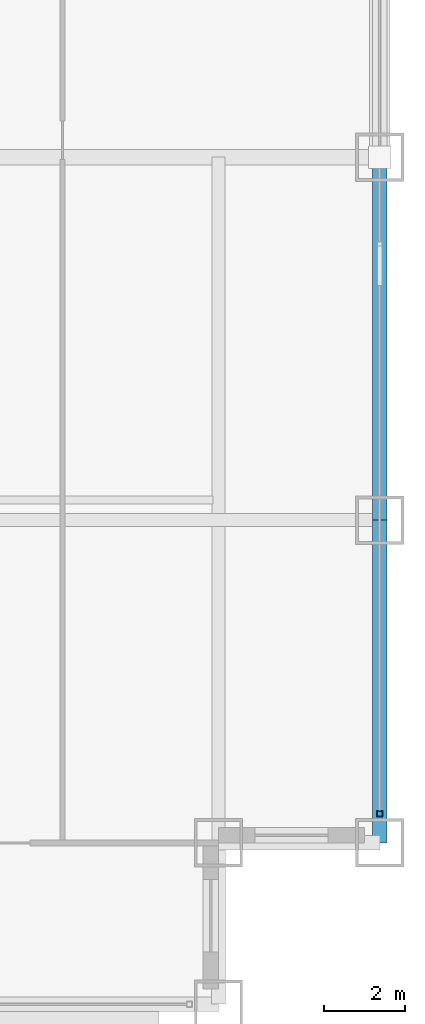
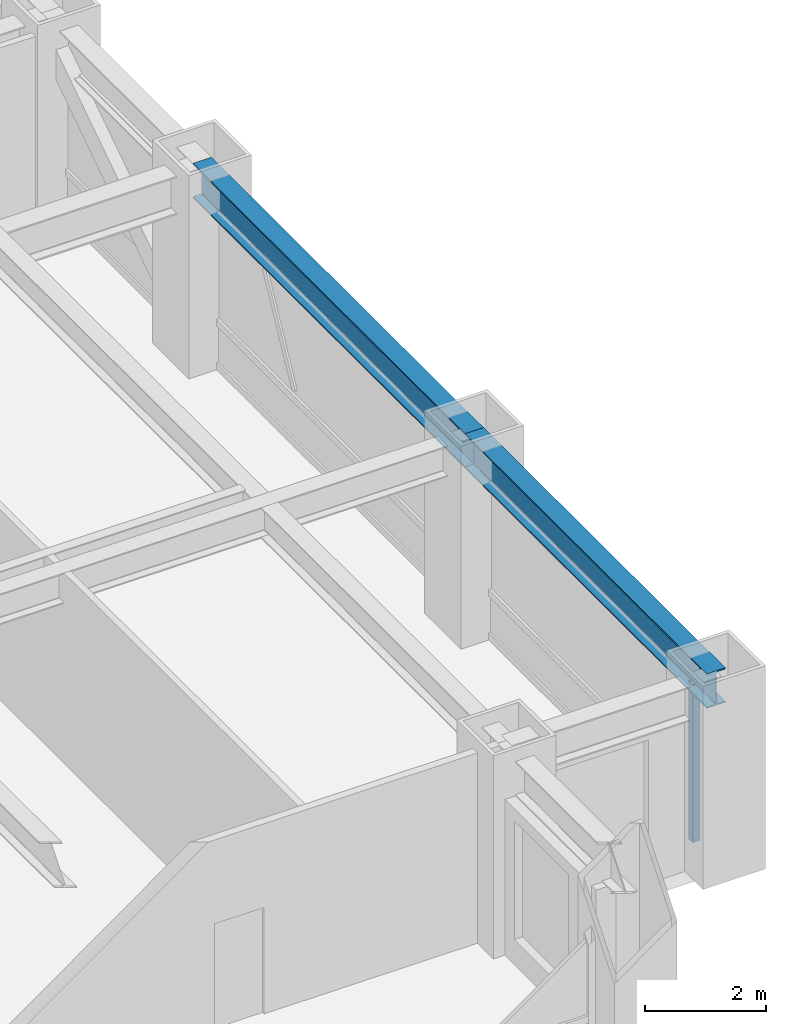
# One storey, part 12 of 32: 2 beams, 1 member, 1 element without a shape of its own.
"""IFC4 building model written with IfcOpenShell, lengths in metres."""

from ifc_helpers import new_model, si_unit, direction, frame, origin, origin_2d, place, context, subcontext, project, spatial, hollow_rectangle, i_section, extrude, source, transform, mapped, material, material_profile, profile_set, type_object, element, aggregate, save


model = new_model("IFC4")

# Units and contexts
model_context = context("Model", 3, precision=1e-05, world=origin(), true_north=direction((0.0, 1.0)))
body_context = subcontext(model_context, "Body", "Model", "MODEL_VIEW")
ifc_project = project(units=[si_unit("LENGTHUNIT", "METRE"), si_unit("AREAUNIT", "SQUARE_METRE"), si_unit("VOLUMEUNIT", "CUBIC_METRE"), si_unit("PLANEANGLEUNIT", "RADIAN"), si_unit("MASSUNIT", "GRAM", prefix="KILO")], contexts=[model_context])

# Site, building, storey
site_placement = place(None, origin())
site = spatial("IfcSite", under=ifc_project, at=site_placement, CompositionType="ELEMENT")
building_placement = place(site_placement, origin())
building = spatial("IfcBuilding", under=site, at=building_placement, Name="Khorayat Bourse Tower", CompositionType="ELEMENT")
storey_placement = place(building_placement, frame((0.0, 0.0, 128.300048828125)))
storey = spatial("IfcBuildingStorey", under=building, at=storey_placement, Name="L29", CompositionType="ELEMENT", Elevation=128.300048828125)

# Beams
ifc_material_1 = material(Name="Steel ASTM A992 Grade 50", Category="steel")
ifc_material_profile_1 = material_profile(ifc_material_1, i_section(OverallWidth=0.35498046875, OverallDepth=0.695068359375, WebThickness=0.015380859375, FlangeThickness=0.02490234375, FilletRadius=0.01806640625, at=origin_2d()), Name="W690X217")
ifc_profile_set_1 = profile_set([ifc_material_profile_1], Name="Steel ASTM A992 Grade 50")
beam_type = type_object("IfcBeamType", Name="BM-SPAN-690", PredefinedType="SPANDREL", material=ifc_profile_set_1)
shared_shape_1 = source(origin(), body_context, "Body", "SweptSolid", [
    extrude(i_section(OverallWidth=0.35498046875, OverallDepth=0.695068359375, WebThickness=0.015380859375, FlangeThickness=0.02490234375, FilletRadius=0.01806640625, at=origin_2d()), origin(), (0.0, 0.0, 1.0), 9.0),
])
beam_1_placement = place(storey_placement, frame((32.0, -20.0, 3.492431640625), z_axis=(0.0, 1.0, 0.0), x_axis=(-1.0, 0.0, 0.0)))
element("IfcBeam", 1, at=beam_1_placement, inside=storey, type_object=beam_type, Name="L29 BM-SPAN-690 BM-L29-SPN-035", PredefinedType="SPANDREL", context=body_context, shape_type="MappedRepresentation", body=[
    mapped(shared_shape_1, transform((0.0, 0.0, 0.0), scale=1.0)),
])
shared_shape_2 = source(origin(), body_context, "Body", "SweptSolid", [
    extrude(i_section(OverallWidth=0.35498046875, OverallDepth=0.695068359375, WebThickness=0.015380859375, FlangeThickness=0.02490234375, FilletRadius=0.01806640625, at=origin_2d()), origin(), (0.0, 0.0, 1.0), 8.0),
])
beam_2_placement = place(storey_placement, frame((32.0, -28.0, 3.492431640625), z_axis=(0.0, 1.0, 0.0), x_axis=(-1.0, 0.0, 0.0)))
element("IfcBeam", 2, at=beam_2_placement, inside=storey, type_object=beam_type, Name="L29 BM-SPAN-690 BM-L29-SPN-034", PredefinedType="SPANDREL", context=body_context, shape_type="MappedRepresentation", body=[
    mapped(shared_shape_2, transform((0.0, 0.0, 0.0), scale=1.0)),
])

# Curtain wall, member
ifc_material_2 = material(Name="Aluminium EN AW-6063 T6", Category="aluminium")
curtain_wall_type = type_object("IfcCurtainWallType", Name="CW-SYS-02", PredefinedType="NOTDEFINED", material=ifc_material_2)
curtain_wall_placement = place(storey_placement, origin())
curtain_wall = element("IfcCurtainWall", 3, at=curtain_wall_placement, inside=storey, type_object=curtain_wall_type, Name="L29 Curtain Wall CW-L29-E1", PredefinedType="NOTDEFINED")
ifc_material_profile_2 = material_profile(ifc_material_2, hollow_rectangle(XDim=0.139892578125, YDim=0.139892578125, WallThickness=0.006103515625, at=origin_2d()), Name="ALU 140x140x6")
ifc_profile_set_2 = profile_set([ifc_material_profile_2], Name="Aluminium EN AW-6063 T6")
member_type = type_object("IfcMemberType", Name="CWM-VERT-140", PredefinedType="MULLION", material=ifc_profile_set_2)
shared_shape_3 = source(origin(), body_context, "Body", "SweptSolid", [
    extrude(hollow_rectangle(XDim=0.139892578125, YDim=0.139892578125, WallThickness=0.006103515625, at=origin_2d()), origin(), (0.0, 0.0, 1.0), 3.18994140625),
])
member_placement = place(storey_placement, frame((32.0, -27.280029296875, 0.0), z_axis=(0.0, 0.0, 1.0), x_axis=(-1.0, 0.0, 0.0)))
member = element("IfcMember", 4, at=member_placement, type_object=member_type, Name="CW-L29-E1 Vertical Mullion 1", PredefinedType="MULLION", context=body_context, shape_type="MappedRepresentation", body=[
    mapped(shared_shape_3, transform((0.0, 0.0, 0.0), scale=1.0)),
])
aggregate(curtain_wall, [member])

save(model, "model.ifc")
